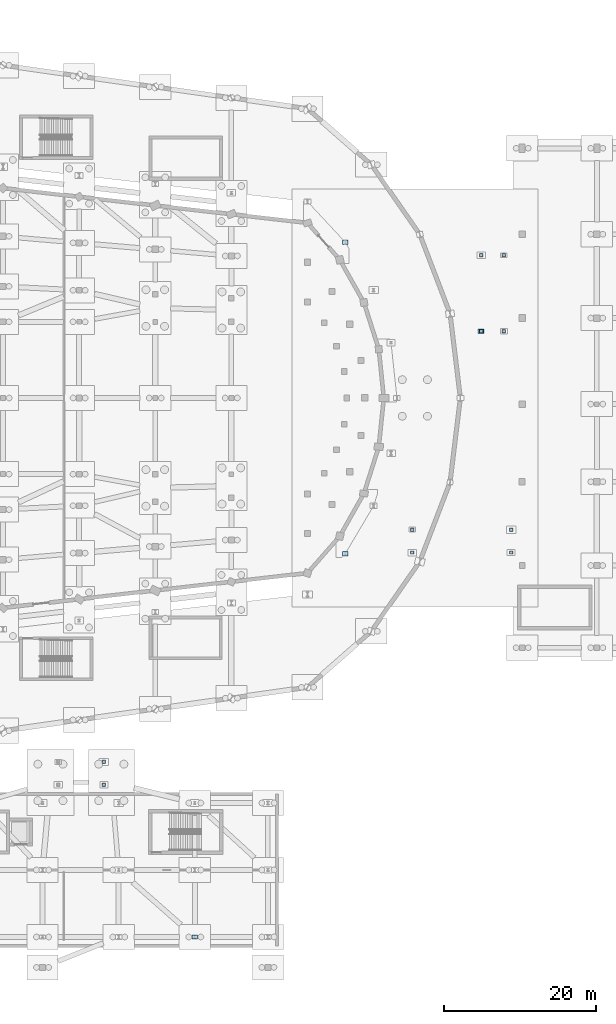
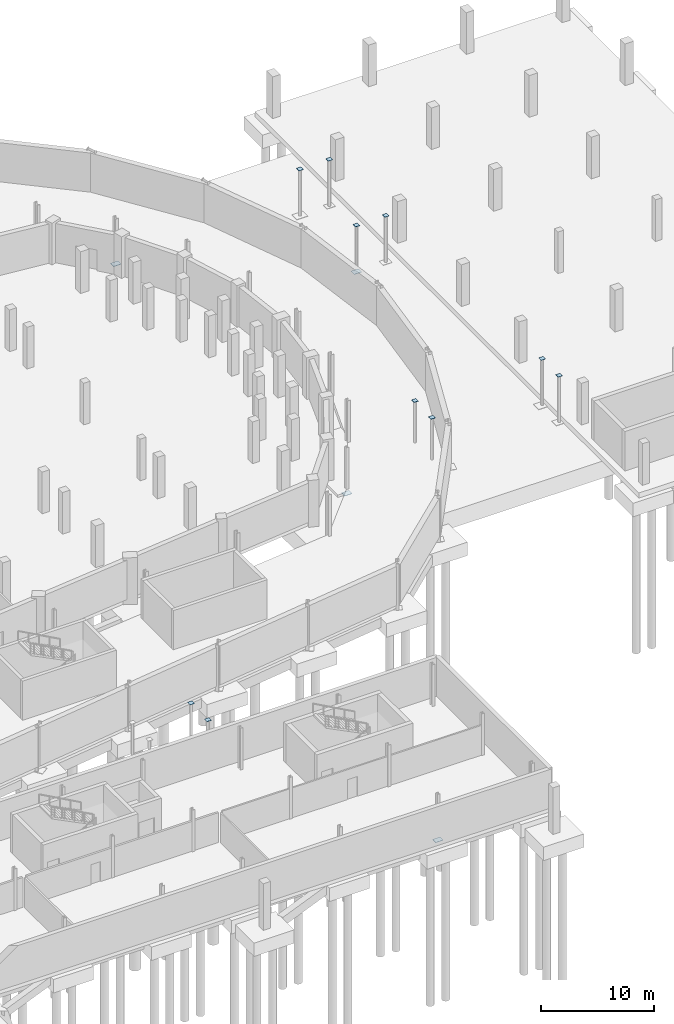
# One storey, part 41 of 55: 14 plates.
"""IFC4 building model written with IfcOpenShell, lengths in metres."""

from ifc_helpers import new_model, si_unit, direction, frame, origin, origin_2d, place, context, subcontext, project, spatial, rectangle, extrude, material, layer, layer_set, type_object, element, save


model = new_model("IFC4")

# Units and contexts
model_context = context("Model", 3, precision=1e-05, world=origin(), true_north=direction((0.0, 1.0)))
body_context = subcontext(model_context, "Body", "Model", "MODEL_VIEW")
ifc_project = project(units=[si_unit("LENGTHUNIT", "METRE"), si_unit("AREAUNIT", "SQUARE_METRE"), si_unit("VOLUMEUNIT", "CUBIC_METRE"), si_unit("PLANEANGLEUNIT", "RADIAN"), si_unit("MASSUNIT", "GRAM", prefix="KILO")], contexts=[model_context])

# Site, building, storey
site_placement = place(None, origin())
site = spatial("IfcSite", under=ifc_project, at=site_placement, CompositionType="ELEMENT")
building_placement = place(site_placement, origin())
building = spatial("IfcBuilding", under=site, at=building_placement, Name="Sohan Crest Arena", CompositionType="ELEMENT")
storey_placement = place(building_placement, frame((0.0, 0.0, -4.5)))
storey = spatial("IfcBuildingStorey", under=building, at=storey_placement, Name="B1", CompositionType="ELEMENT", Elevation=-4.5)

# Plates
ifc_material = material(Name="Steel S355", Category="steel")
ifc_layer_1 = layer(ifc_material, 0.031982421875, Name="Steel S355")
ifc_layer_set_1 = layer_set([ifc_layer_1], Name="Steel S355")
plate_type_1 = type_object("IfcPlateType", Name="STR-PL-BP01", PredefinedType="USERDEFINED", material=ifc_layer_set_1)
for number, where, z_axis, x_axis, name in (
    (1, (181.75, 57.699951171875, 4.487548828125), (0.0, 0.0, 1.0), (1.0, 0.0, 0.0), "Hollow section end cap plate ECP-0057"),
    (2, (181.75, 60.699951171875, 4.487548828125), (0.0, 0.0, 1.0), (1.0, 0.0, 0.0), "Hollow section end cap plate ECP-0061"),
    (3, (194.75, 57.699951171875, 4.487548828125), (0.0, 0.0, 1.0), (1.0, 0.0, 0.0), "Hollow section end cap plate ECP-0065"),
    (4, (194.75, 60.699951171875, 4.487548828125), (0.0, 0.0, 1.0), (1.0, 0.0, 0.0), "Hollow section end cap plate ECP-0069"),
    (5, (190.800048828125, 86.75, 4.487548828125), (0.0, 0.0, 1.0), (1.0, 0.0, 0.0), "Hollow section end cap plate ECP-0073"),
    (6, (193.800048828125, 86.75, 4.487548828125), (0.0, 0.0, 1.0), (1.0, 0.0, 0.0), "Hollow section end cap plate ECP-0075"),
    (7, (190.800048828125, 96.75, 4.487548828125), (0.0, 0.0, 1.0), (1.0, 0.0, 0.0), "Hollow section end cap plate ECP-0077"),
    (8, (193.800048828125, 96.75, 4.487548828125), (0.0, 0.0, 1.0), (1.0, 0.0, 0.0), "Hollow section end cap plate ECP-0079"),
    (9, (141.25, 27.199951171875, 4.487548828125), (0.0, 0.0, 1.0), (1.0, 0.0, 0.0), "Hollow section end cap plate ECP-0105"),
    (10, (141.25, 30.199951171875, 4.487548828125), (0.0, 0.0, 1.0), (1.0, 0.0, 0.0), "Hollow section end cap plate ECP-0109"),
):
    element("IfcPlate", number, at=place(storey_placement, frame(where, z_axis=z_axis, x_axis=x_axis)), inside=storey, type_object=plate_type_1, Name=name, ObjectType="BASE PLATE", PredefinedType="USERDEFINED", context=body_context, shape_type="SweptSolid", body=[
        extrude(rectangle(XDim=0.449951171875, YDim=0.449951171875, at=origin_2d()), origin(), (0.0, 0.0, 1.0), 0.02490234375),
    ])
ifc_layer_2 = layer(ifc_material, 0.030029296875, Name="Steel S355")
ifc_layer_set_2 = layer_set([ifc_layer_2], Name="Steel S355")
plate_type_2 = type_object("IfcPlateType", Name="STR-PL-BP04", PredefinedType="USERDEFINED", material=ifc_layer_set_2)
for number, where, z_axis, x_axis, name in (
    (11, (172.9609375, 57.547119140625, -0.5498046875), (0.0, 0.0, 1.0), (1.0, 0.0, 0.0), "Steel column base plate BP-V2I-21"),
    (12, (172.9609375, 98.452880859375, -0.5498046875), (0.0, 0.0, 1.0), (1.0, 0.0, 0.0), "Steel column base plate BP-V2I-27"),
    (13, (153.199951171875, 7.199951171875, -0.5498046875), (0.0, 0.0, 1.0), (1.0, 0.0, 0.0), "Steel column base plate BP-V5C-09-1"),
    (14, (190.800048828125, 86.75, -0.5498046875), (0.0, 0.0, 1.0), (1.0, 0.0, 0.0), "Steel column base plate BP-BC-BR-E2-1"),
):
    element("IfcPlate", number, at=place(storey_placement, frame(where, z_axis=z_axis, x_axis=x_axis)), inside=storey, type_object=plate_type_2, Name=name, ObjectType="BASE PLATE", PredefinedType="USERDEFINED", context=body_context, shape_type="SweptSolid", body=[
        extrude(rectangle(XDim=0.760009765625, YDim=0.580078125, at=origin_2d()), origin(), (0.0, 0.0, 1.0), 0.030029296875),
    ])

save(model, "model.ifc")
